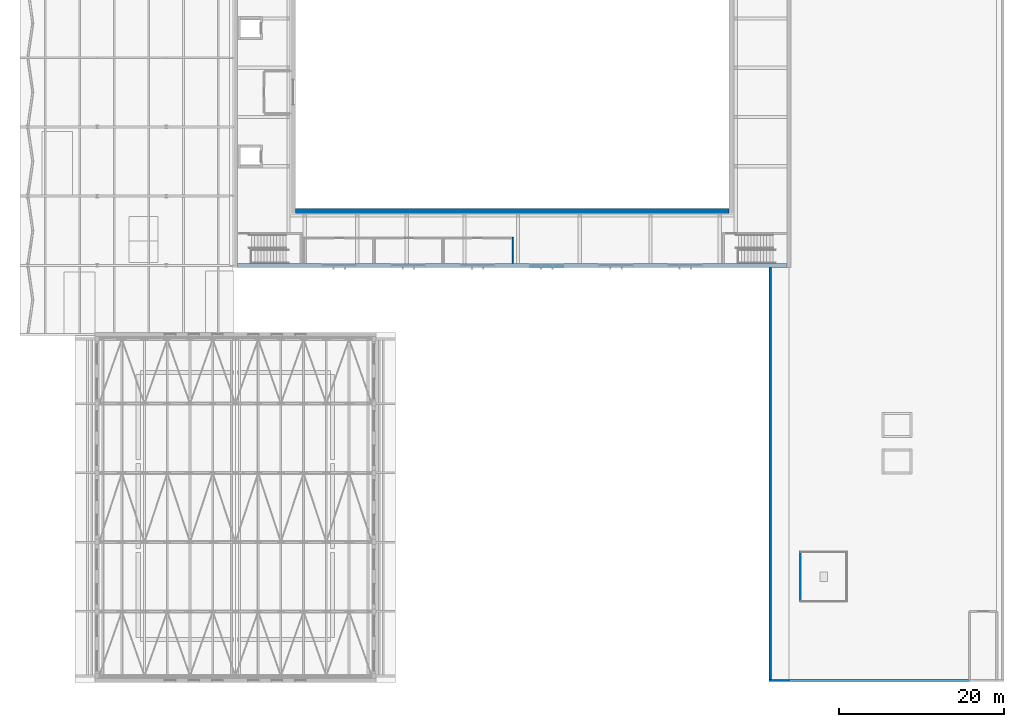
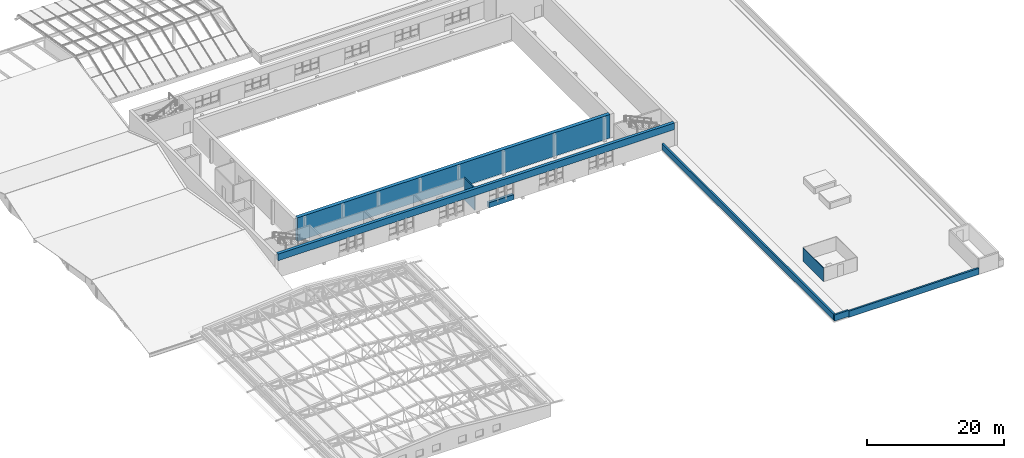
# One storey, part 40 of 60: 8 walls.
"""IFC4 building model written with IfcOpenShell, lengths in metres."""

import ifcopenshell
import ifcopenshell.guid

model = None  # the IFC model being written
_history = None  # IfcOwnerHistory: only IFC2X3 demands one
_inside = {}  # id of a spatial element -> (the spatial element, [elements in it])
_under = {}  # id of a project, library or spatial element -> (it, [spatial elements below it])
_declared = {}  # id of a project -> (the project, [libraries it declares])
_typed = {}  # id of a type object -> (the type object, [elements of that type])
_made_of = {}  # id of a material, layer set ... -> (it, [elements and type objects made of it])


def new_model(schema):
    """Start an empty IFC model of exactly this schema.

    Asked for "IFC4X3", IfcOpenShell would pick the latest addendum, in which some entities
    have other attributes; the version numbers below select the first issue.
    IFC2X3 requires an IfcOwnerHistory on every rooted entity: one is made here for all.
    """
    global model, _history
    if schema == "IFC4X3":
        model = ifcopenshell.file(schema_version=(4, 3, 0, 0))
    else:
        model = ifcopenshell.file(schema=schema)
    _inside.clear()
    _under.clear()
    _declared.clear()
    _typed.clear()
    _made_of.clear()
    _history = None
    if model.schema == "IFC2X3":
        org = make("IfcOrganization", Name="unknown")
        user = make(
            "IfcPersonAndOrganization",
            ThePerson=make("IfcPerson", FamilyName="unknown"),
            TheOrganization=org,
        )
        app = make(
            "IfcApplication",
            ApplicationDeveloper=org,
            Version="unknown",
            ApplicationFullName="unknown",
            ApplicationIdentifier="unknown",
        )
        _history = make(
            "IfcOwnerHistory",
            OwningUser=user,
            OwningApplication=app,
            ChangeAction="ADDED",
            CreationDate=0,
        )
    return model


def make(cls, **values):
    """One entity of the class cls with the attributes given. An attribute that is None is left unset."""
    return model.create_entity(
        cls, **{name: value for name, value in values.items() if value is not None}
    )


def rooted(cls, **values):
    """An entity with a GlobalId (a new one), such as an element, a storey or a relation."""
    return make(cls, GlobalId=ifcopenshell.guid.new(), OwnerHistory=_history, **values)


def si_unit(unit_type, name, prefix=None):
    """IfcSIUnit, for example si_unit("LENGTHUNIT", "METRE", prefix="MILLI")."""
    return make("IfcSIUnit", UnitType=unit_type, Prefix=prefix, Name=name)


def assignment(units):
    """IfcUnitAssignment: the units of a project."""
    return None if units is None else make("IfcUnitAssignment", Units=units)


def point(xyz):
    """IfcCartesianPoint."""
    return None if xyz is None else make("IfcCartesianPoint", Coordinates=xyz)


def direction(xyz):
    """IfcDirection."""
    return None if xyz is None else make("IfcDirection", DirectionRatios=xyz)


def frame(location, z_axis=None, x_axis=None):
    """IfcAxis2Placement3D, a coordinate frame: its origin and axes. An axis left out is left unset."""
    return make(
        "IfcAxis2Placement3D",
        Location=point(location),
        Axis=direction(z_axis),
        RefDirection=direction(x_axis),
    )


def frame_2d(location, x_axis=None):
    """IfcAxis2Placement2D, a coordinate frame in the plane: its origin and x axis."""
    return make(
        "IfcAxis2Placement2D", Location=point(location), RefDirection=direction(x_axis)
    )


def origin():
    """The frame at (0, 0, 0) with its axes left unset."""
    return frame((0.0, 0.0, 0.0))


def place(relative_to, where):
    """IfcLocalPlacement: puts the frame where relative to a parent placement (None: the world)."""
    return make(
        "IfcLocalPlacement", PlacementRelTo=relative_to, RelativePlacement=where
    )


def context(
    kind, dimensions, precision=None, world=None, true_north=None, identifier=None
):
    """IfcGeometricRepresentationContext, for example the 3D "Model" context."""
    return make(
        "IfcGeometricRepresentationContext",
        ContextIdentifier=identifier,
        ContextType=kind,
        CoordinateSpaceDimension=dimensions,
        Precision=precision,
        WorldCoordinateSystem=world,
        TrueNorth=true_north,
    )


def subcontext(parent, identifier, kind, view, scale=None):
    """IfcGeometricRepresentationSubContext, for example "Body" below "Model"."""
    return make(
        "IfcGeometricRepresentationSubContext",
        ContextIdentifier=identifier,
        ContextType=kind,
        ParentContext=parent,
        TargetScale=scale,
        TargetView=view,
    )


def project(units=None, contexts=None):
    """IfcProject with its units and contexts."""
    return rooted(
        "IfcProject",
        Name="project",
        RepresentationContexts=contexts,
        UnitsInContext=assignment(units),
    )


def spatial(cls, under=None, at=None, **own):
    """A site, building, storey or space (cls), placed at a placement, below another one or the project."""
    s = rooted(cls, ObjectPlacement=at, **own)
    if under is not None:
        _under.setdefault(under.id(), (under, []))[1].append(s)
    return s


def profile(cls, at=None, kind="AREA", **sizes):
    """A parametric profile (cls). Its sizes go by their IFC names, for example OverallWidth=200.0."""
    return make(cls, ProfileType=kind, Position=at, **sizes)


def rectangle(**sizes):
    """IfcRectangleProfileDef."""
    return profile("IfcRectangleProfileDef", **sizes)


def extrude(swept, where, along, depth):
    """IfcExtrudedAreaSolid: the profile swept, set in the frame where, extruded along a direction by depth."""
    return make(
        "IfcExtrudedAreaSolid",
        SweptArea=swept,
        Position=where,
        ExtrudedDirection=direction(along),
        Depth=depth,
    )


def shape(context_of_items, identifier, shape_type, items):
    """IfcShapeRepresentation: the items that make up one representation, for example the "Body"."""
    return make(
        "IfcShapeRepresentation",
        ContextOfItems=context_of_items,
        RepresentationIdentifier=identifier,
        RepresentationType=shape_type,
        Items=items,
    )


def material(Name=None, Category=None):
    """IfcMaterial."""
    return make("IfcMaterial", Name=Name, Category=Category)


def layer(
    of_material, thickness, ventilated=None, Name=None, Category=None, Priority=None
):
    """IfcMaterialLayer: one layer of a wall or slab, of a material (None: an air gap)."""
    return make(
        "IfcMaterialLayer",
        Material=of_material,
        LayerThickness=thickness,
        IsVentilated=ventilated,
        Name=Name,
        Category=Category,
        Priority=Priority,
    )


def layer_set(layers, Name=None):
    """IfcMaterialLayerSet."""
    return make("IfcMaterialLayerSet", MaterialLayers=layers, LayerSetName=Name)


def made_of(thing, what):
    """Note that an element or type object is made of a material, layer set ...; save() writes the relation."""
    if what is not None:
        _made_of.setdefault(what.id(), (what, []))[1].append(thing)
    return thing


def type_object(cls, material=None, **own):
    """A type object (cls), such as IfcWallType, which elements share."""
    return made_of(rooted(cls, **own), material)


def element(
    cls,
    number,
    at=None,
    inside=None,
    cuts=None,
    type_object=None,
    material=None,
    context=None,
    identifier="Body",
    shape_type=None,
    held_by="IfcProductDefinitionShape",
    body=None,
    shapes=None,
    **own,
):
    """One element of the class cls, such as IfcWall. Its Tag is "e" and its number.

    at: its placement. inside: the storey or other place that contains it. cuts: it is an
    opening in that element (IfcRelVoidsElement). A single representation is given by context,
    identifier, shape_type and body (its items); several are given by shapes. held_by: the class
    of the entity that holds the representations. save() writes the other relations.
    """
    e = rooted(cls, Tag="e%d" % number, ObjectPlacement=at, **own)
    if body is not None:
        shapes = [shape(context, identifier, shape_type, body)]
    if shapes is not None:
        e.Representation = make(held_by, Representations=shapes)
    if inside is not None:
        _inside.setdefault(inside.id(), (inside, []))[1].append(e)
    if cuts is not None:
        rooted(
            "IfcRelVoidsElement", RelatingBuildingElement=cuts, RelatedOpeningElement=e
        )
    if type_object is not None:
        _typed.setdefault(type_object.id(), (type_object, []))[1].append(e)
    return made_of(e, material)


def aggregate(whole, parts):
    """IfcRelAggregates: a whole, such as a stair, and the parts it consists of."""
    return rooted("IfcRelAggregates", RelatingObject=whole, RelatedObjects=parts)


def save(model, path):
    """Write the relations noted so far, then the file.

    IfcRelAggregates (storeys below a building ...), IfcRelContainedInSpatialStructure (elements
    in a storey), IfcRelDefinesByType, IfcRelAssociatesMaterial and IfcRelDeclares: one each for
    every whole, place, type object, material and project.
    """
    for whole, parts in _under.values():
        aggregate(whole, parts)
    for where, things in _inside.values():
        rooted(
            "IfcRelContainedInSpatialStructure",
            RelatedElements=things,
            RelatingStructure=where,
        )
    for kind, things in _typed.values():
        rooted("IfcRelDefinesByType", RelatedObjects=things, RelatingType=kind)
    for what, things in _made_of.values():
        rooted("IfcRelAssociatesMaterial", RelatedObjects=things, RelatingMaterial=what)
    for by, libraries in _declared.values():
        rooted("IfcRelDeclares", RelatingContext=by, RelatedDefinitions=libraries)
    model.write(path)


model = new_model("IFC4")

# Units and contexts
model_context = context("Model", 3, precision=1e-05, world=origin(), true_north=direction((0.0, 1.0)))
body_context = subcontext(model_context, "Body", "Model", "MODEL_VIEW")
ifc_project = project(units=[si_unit("LENGTHUNIT", "METRE"), si_unit("AREAUNIT", "SQUARE_METRE"), si_unit("VOLUMEUNIT", "CUBIC_METRE"), si_unit("PLANEANGLEUNIT", "RADIAN"), si_unit("MASSUNIT", "GRAM", prefix="KILO")], contexts=[model_context])

# Site, building, storey
site_placement = place(None, origin())
site = spatial("IfcSite", under=ifc_project, at=site_placement, CompositionType="ELEMENT")
building_placement = place(site_placement, origin())
building = spatial("IfcBuilding", under=site, at=building_placement, Name="Ljudholm Concert House", CompositionType="ELEMENT")
storey_placement = place(building_placement, frame((0.0, 0.0, 15.0)))
storey = spatial("IfcBuildingStorey", under=building, at=storey_placement, Name="L03", CompositionType="ELEMENT", Elevation=15.0)

# Walls
ifc_material_1 = material(Name="Gypsum board on steel studs", Category="steel")
ifc_layer_1 = layer(ifc_material_1, 0.14990234375)
ifc_layer_set_1 = layer_set([ifc_layer_1], Name="Gypsum board on steel studs")
wall_type_1 = type_object("IfcWallType", Name="GYPSUM PARTITION 150", PredefinedType="PARTITIONING", material=ifc_layer_set_1)
wall_1_placement = place(storey_placement, frame((62.875, 54.64990234375, 0.0), z_axis=(0.0, 0.0, 1.0), x_axis=(0.0, 1.0, 0.0)))
element("IfcWall", 1, at=wall_1_placement, inside=storey, type_object=wall_type_1, Name="Accessible WC partition", PredefinedType="PARTITIONING", context=body_context, shape_type="SweptSolid", body=[
    extrude(rectangle(XDim=3.150146484375, YDim=0.14990234375, at=frame_2d((1.5751953125, 0.0))), origin(), (0.0, 0.0, 1.0), 3.949951171875),
])
ifc_material_2 = material(Name="Precast concrete 5,000 psi", Category="concrete")
ifc_layer_2 = layer(ifc_material_2, 0.300048828125)
ifc_layer_set_2 = layer_set([ifc_layer_2], Name="Precast concrete 5,000 psi")
wall_type_2 = type_object("IfcWallType", Name="PARAPET 300", PredefinedType="PARAPET", material=ifc_layer_set_2)
wall_2_placement = place(storey_placement, frame((94.0, 4.0, 0.169921875), z_axis=(0.0, 0.0, 1.0), x_axis=(1.0, 0.0, 0.0)))
element("IfcWall", 2, at=wall_2_placement, inside=storey, type_object=wall_type_2, Name="Parapet", PredefinedType="PARAPET", context=body_context, shape_type="SweptSolid", body=[
    extrude(rectangle(XDim=2.39990234375, YDim=0.300048828125, at=frame_2d((1.199951171875, 0.0))), origin(), (0.0, 0.0, 1.0), 1.10009765625),
])
wall_3_placement = place(storey_placement, frame((96.39990234375, 4.0, 0.0), z_axis=(0.0, 0.0, 1.0), x_axis=(1.0, 0.0, 0.0)))
element("IfcWall", 3, at=wall_3_placement, inside=storey, type_object=wall_type_2, Name="Parapet", PredefinedType="PARAPET", context=body_context, shape_type="SweptSolid", body=[
    extrude(rectangle(XDim=21.925048828125, YDim=0.300048828125, at=frame_2d((10.96240234375, 0.0))), origin(), (0.0, 0.0, 1.0), 1.10009765625),
])
wall_4_placement = place(storey_placement, frame((94.14990234375, 4.14990234375, 0.169921875), z_axis=(0.0, 0.0, 1.0), x_axis=(0.0, 1.0, 0.0)))
element("IfcWall", 4, at=wall_4_placement, inside=storey, type_object=wall_type_2, Name="Parapet", PredefinedType="PARAPET", context=body_context, shape_type="SweptSolid", body=[
    extrude(rectangle(XDim=50.0, YDim=0.300048828125, at=frame_2d((25.0, 0.0))), origin(), (0.0, 0.0, 1.0), 1.10009765625),
])
ifc_material_3 = material(Name="Concrete 6,500 psi", Category="concrete")
ifc_layer_3 = layer(ifc_material_3, 0.5)
ifc_layer_set_3 = layer_set([ifc_layer_3], Name="Concrete 6,500 psi")
wall_type_3 = type_object("IfcWallType", Name="RC WALL 500", PredefinedType="SOLIDWALL", material=ifc_layer_set_3)
wall_5_placement = place(storey_placement, frame((64.89990234375, 54.39990234375, 0.0), z_axis=(0.0, 0.0, 1.0), x_axis=(1.0, 0.0, 0.0)))
element("IfcWall", 5, at=wall_5_placement, inside=storey, type_object=wall_type_3, Name="Outer wall S", PredefinedType="SOLIDWALL", context=body_context, shape_type="SweptSolid", body=[
    extrude(rectangle(XDim=4.2001953125, YDim=0.5, at=frame_2d((2.10009765625, 0.0))), origin(), (0.0, 0.0, 1.0), 0.89990234375),
])
wall_6_placement = place(storey_placement, frame((29.449951171875, 54.39990234375, 3.0), z_axis=(0.0, 0.0, 1.0), x_axis=(1.0, 0.0, 0.0)))
element("IfcWall", 6, at=wall_6_placement, inside=storey, type_object=wall_type_3, Name="Outer wall S", PredefinedType="SOLIDWALL", context=body_context, shape_type="SweptSolid", body=[
    extrude(rectangle(XDim=66.699951171875, YDim=0.5, at=frame_2d((33.35009765625, 0.0))), origin(), (0.0, 0.0, 1.0), 1.199951171875),
])
ifc_material_4 = material(Name="Concrete 6,500 psi", Category="concrete")
ifc_layer_4 = layer(ifc_material_4, 0.60009765625)
ifc_layer_set_4 = layer_set([ifc_layer_4], Name="Concrete 6,500 psi")
wall_type_4 = type_object("IfcWallType", Name="RC WALL 600", PredefinedType="SOLIDWALL", material=ifc_layer_set_4)
wall_7_placement = place(storey_placement, frame((36.5, 61.0, 0.0), z_axis=(0.0, 0.0, 1.0), x_axis=(1.0, 0.0, 0.0)))
element("IfcWall", 7, at=wall_7_placement, inside=storey, type_object=wall_type_4, Name="Inner box wall S", PredefinedType="SOLIDWALL", context=body_context, shape_type="SweptSolid", body=[
    extrude(rectangle(XDim=52.60009765625, YDim=0.60009765625, at=frame_2d((26.300048828125, 0.0))), origin(), (0.0, 0.0, 1.0), 4.199951171875),
])
ifc_material_5 = material(Name="Aluminium cladding with timber-grain PVDF finish", Category="aluminium")
ifc_layer_5 = layer(ifc_material_5, 0.10009765625)
ifc_layer_set_5 = layer_set([ifc_layer_5], Name="Aluminium cladding with timber-grain PVDF finish")
wall_type_5 = type_object("IfcWallType", Name="TIMBER-GRAIN ALUMINIUM CLAD WALL 100", PredefinedType="SOLIDWALL", material=ifc_layer_set_5)
wall_8_placement = place(storey_placement, frame((97.800048828125, 13.60009765625, 0.0), z_axis=(0.0, 0.0, 1.0), x_axis=(0.0, 1.0, 0.0)))
element("IfcWall", 8, at=wall_8_placement, inside=storey, type_object=wall_type_5, Name="Plant screen", PredefinedType="SOLIDWALL", context=body_context, shape_type="SweptSolid", body=[
    extrude(rectangle(XDim=6.0, YDim=0.10009765625, at=frame_2d((3.0, 0.0))), origin(), (0.0, 0.0, 1.0), 2.39990234375),
])

save(model, "model.ifc")
